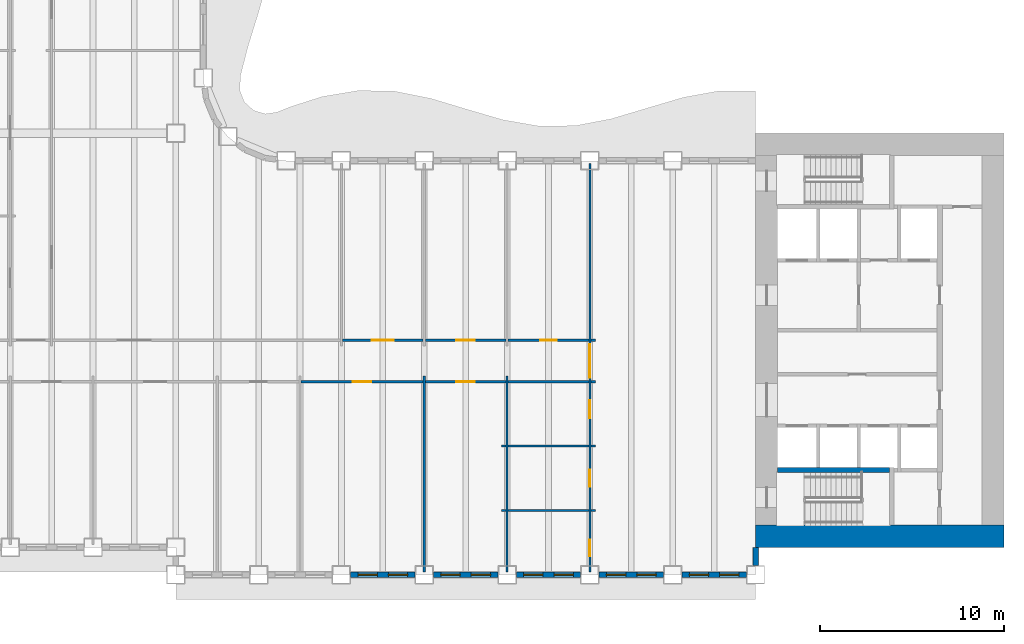
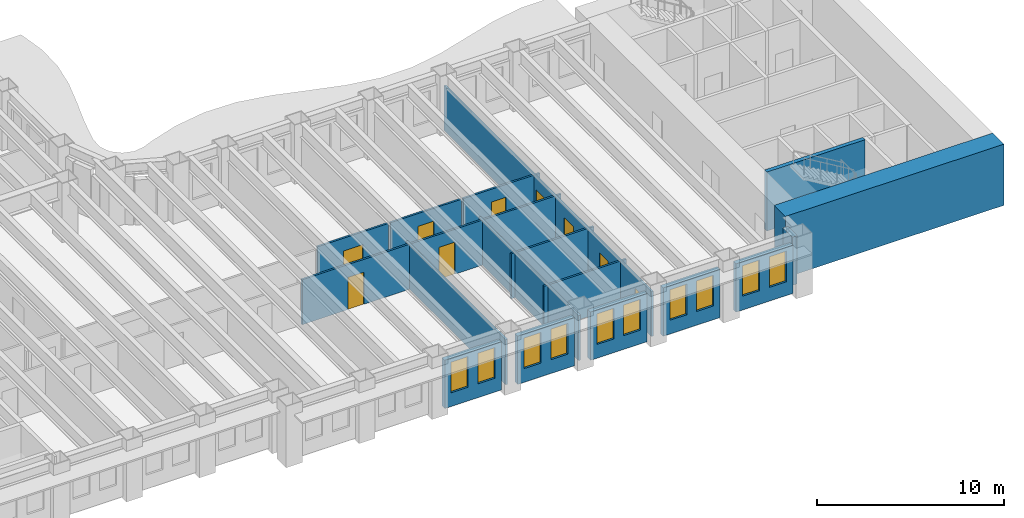
# One storey, part 5 of 16: 25 walls, 10 windows, 9 doors, 19 openings.
"""IFC4 building model written with IfcOpenShell, lengths in metres."""

from ifc_helpers import new_model, si_unit, direction, frame, frame_2d, origin, place, context, subcontext, project, spatial, rectangle, extrude, material, layer, layer_set, type_object, element, fill, save


model = new_model("IFC4")

# Units and contexts
model_context = context("Model", 3, precision=1e-05, world=origin(), true_north=direction((0.0, 1.0)))
body_context = subcontext(model_context, "Body", "Model", "MODEL_VIEW")
ifc_project = project(units=[si_unit("LENGTHUNIT", "METRE"), si_unit("AREAUNIT", "SQUARE_METRE"), si_unit("VOLUMEUNIT", "CUBIC_METRE"), si_unit("PLANEANGLEUNIT", "RADIAN"), si_unit("MASSUNIT", "GRAM", prefix="KILO")], contexts=[model_context])

# Site, building, storey
site_placement = place(None, origin())
site = spatial("IfcSite", under=ifc_project, at=site_placement, CompositionType="ELEMENT")
building_placement = place(site_placement, origin())
building = spatial("IfcBuilding", under=site, at=building_placement, Name="Sennacour Bend Tower", CompositionType="ELEMENT")
storey_placement = place(building_placement, frame((0.0, 0.0, 115.0)))
storey = spatial("IfcBuildingStorey", under=building, at=storey_placement, Name="L26", CompositionType="ELEMENT", Elevation=115.0)

# Walls
ifc_material_1 = material(Name="Concrete C80/95", Category="concrete")
ifc_layer_1 = layer(ifc_material_1, 1.199951171875, Name="Concrete C80/95", Category="concrete")
ifc_layer_set_1 = layer_set([ifc_layer_1], Name="Concrete C80/95")
wall_type_1 = type_object("IfcWallType", Name="Core wall 1200 C80/95", PredefinedType="SHEAR", material=ifc_layer_set_1)
wall_1_placement = place(storey_placement, frame((67.5, 0.60009765625, -0.14990234375), z_axis=(0.0, 0.0, 1.0), x_axis=(-1.0, 0.0, 0.0)))
element("IfcWall", 1, at=wall_1_placement, inside=storey, type_object=wall_type_1, Name="Core A wall L26 S", PredefinedType="SHEAR", context=body_context, shape_type="SweptSolid", body=[
    extrude(rectangle(XDim=13.5, YDim=1.199951171875, at=frame_2d((6.75, 0.0))), origin(), (0.0, 0.0, 1.0), 4.0),
])
ifc_material_2 = material(Name="Plasterboard partition on steel studs", Category="steel")
ifc_layer_2 = layer(ifc_material_2, 0.1201171875, Name="Plasterboard partition on steel studs", Category="steel")
ifc_layer_set_2 = layer_set([ifc_layer_2], Name="Plasterboard partition on steel studs")
wall_type_2 = type_object("IfcWallType", Name="Partition 120", PredefinedType="PARTITIONING", material=ifc_layer_set_2)
for number, where, z_axis, x_axis, name in (
    (2, (36.0, -1.35009765625, 0.0), (0.0, 0.0, 1.0), (0.0, 1.0, 0.0), "P-L26-W029a"),
    (3, (40.5, -1.35009765625, 0.0), (0.0, 0.0, 1.0), (0.0, 1.0, 0.0), "P-L26-W031a"),
):
    element("IfcWall", number, at=place(storey_placement, frame(where, z_axis=z_axis, x_axis=x_axis)), inside=storey, type_object=wall_type_2, Name=name, PredefinedType="PARTITIONING", context=body_context, shape_type="SweptSolid", body=[
        extrude(rectangle(XDim=10.650146484375, YDim=0.1201171875, at=frame_2d((5.3251953125, 0.0))), origin(), (0.0, 0.0, 1.0), 2.93798828125),
    ])
wall_2_placement = place(storey_placement, frame((40.199951171875, 2.0, 0.0), z_axis=(0.0, 0.0, 1.0), x_axis=(1.0, 0.0, 0.0)))
element("IfcWall", 4, at=wall_2_placement, inside=storey, type_object=wall_type_2, Name="P-L26-W048aa", PredefinedType="PARTITIONING", context=body_context, shape_type="SweptSolid", body=[
    extrude(rectangle(XDim=0.239990234375, YDim=0.1201171875, at=frame_2d((0.1201171875, 0.0))), origin(), (0.0, 0.0, 1.0), 2.93798828125),
])
wall_3_placement = place(storey_placement, frame((40.56005859375, 2.0, 0.0), z_axis=(0.0, 0.0, 1.0), x_axis=(1.0, 0.0, 0.0)))
element("IfcWall", 5, at=wall_3_placement, inside=storey, type_object=wall_type_2, Name="P-L26-W048ab", PredefinedType="PARTITIONING", context=body_context, shape_type="SweptSolid", body=[
    extrude(rectangle(XDim=4.3798828125, YDim=0.1201171875, at=frame_2d((2.18994140625, 0.0))), origin(), (0.0, 0.0, 1.0), 2.93798828125),
])
for number, where, z_axis, x_axis, name in (
    (6, (45.06005859375, 2.0, 0.0), (0.0, 0.0, 1.0), (1.0, 0.0, 0.0), "P-L26-W048ac"),
    (7, (40.199951171875, 5.5, 0.0), (0.0, 0.0, 1.0), (1.0, 0.0, 0.0), "P-L26-W053aa"),
):
    element("IfcWall", number, at=place(storey_placement, frame(where, z_axis=z_axis, x_axis=x_axis)), inside=storey, type_object=wall_type_2, Name=name, PredefinedType="PARTITIONING", context=body_context, shape_type="SweptSolid", body=[
        extrude(rectangle(XDim=0.239990234375, YDim=0.1201171875, at=frame_2d((0.1201171875, 0.0))), origin(), (0.0, 0.0, 1.0), 2.93798828125),
    ])
wall_4_placement = place(storey_placement, frame((40.56005859375, 5.5, 0.0), z_axis=(0.0, 0.0, 1.0), x_axis=(1.0, 0.0, 0.0)))
element("IfcWall", 8, at=wall_4_placement, inside=storey, type_object=wall_type_2, Name="P-L26-W053ab", PredefinedType="PARTITIONING", context=body_context, shape_type="SweptSolid", body=[
    extrude(rectangle(XDim=4.3798828125, YDim=0.1201171875, at=frame_2d((2.18994140625, 0.0))), origin(), (0.0, 0.0, 1.0), 2.93798828125),
])
wall_5_placement = place(storey_placement, frame((45.06005859375, 5.5, 0.0), z_axis=(0.0, 0.0, 1.0), x_axis=(1.0, 0.0, 0.0)))
element("IfcWall", 9, at=wall_5_placement, inside=storey, type_object=wall_type_2, Name="P-L26-W053ac", PredefinedType="PARTITIONING", context=body_context, shape_type="SweptSolid", body=[
    extrude(rectangle(XDim=0.239990234375, YDim=0.1201171875, at=frame_2d((0.1201171875, 0.0))), origin(), (0.0, 0.0, 1.0), 2.93798828125),
])

# Wall, opening, door
wall_6_placement = place(storey_placement, frame((29.31005859375, 9.0, 0.0), z_axis=(0.0, 0.0, 1.0), x_axis=(1.0, 0.0, 0.0)))
wall_6 = element("IfcWall", 10, at=wall_6_placement, inside=storey, type_object=wall_type_2, Name="P-L26-W055af", PredefinedType="PARTITIONING", context=body_context, shape_type="SweptSolid", body=[
    extrude(rectangle(XDim=6.6298828125, YDim=0.1201171875, at=frame_2d((3.31494140625, 0.0))), origin(), (0.0, 0.0, 1.0), 2.93798828125),
])
opening_1_placement = place(wall_6_placement, frame((2.81494140625, 0.0, 0.0)))
opening_1 = element("IfcOpeningElement", 11, at=opening_1_placement, cuts=wall_6, Name="Opening OD2", PredefinedType="OPENING", context=body_context, shape_type="SweptSolid", body=[
    extrude(rectangle(XDim=1.0, YDim=2.10009765625, at=frame_2d((0.5, 1.050048828125))), frame((0.0, 0.070068359375, 0.0), z_axis=(0.0, -1.0, 0.0), x_axis=(1.0, 0.0, 0.0)), (0.0, 0.0, 1.0), 0.14013671875),
])
ifc_material_3 = material(Name="Timber", Category="wood")
door_type_1 = type_object("IfcDoorType", Name="DR-OFFICE-1000", OperationType="NOTDEFINED", PredefinedType="DOOR", material=ifc_material_3)
door_1_placement = place(opening_1_placement, origin())
door_1 = element("IfcDoor", 12, at=door_1_placement, inside=storey, type_object=door_type_1, Name="Door", OperationType="SINGLE_SWING_LEFT", OverallHeight=2.10009765625, OverallWidth=1.0, PredefinedType="DOOR", context=body_context, shape_type="SweptSolid", body=[
    extrude(rectangle(XDim=1.0, YDim=2.10009765625, at=frame_2d((0.5, 1.050048828125))), frame((0.0, 0.02490234375, 0.0), z_axis=(0.0, -1.0, 0.0), x_axis=(1.0, 0.0, 0.0)), (0.0, 0.0, 1.0), 0.050048828125),
])
fill(opening_1, door_1)

wall_7_placement = place(storey_placement, frame((36.06005859375, 9.0, 0.0), z_axis=(0.0, 0.0, 1.0), x_axis=(1.0, 0.0, 0.0)))
wall_7 = element("IfcWall", 13, at=wall_7_placement, inside=storey, type_object=wall_type_2, Name="P-L26-W055ag", PredefinedType="PARTITIONING", context=body_context, shape_type="SweptSolid", body=[
    extrude(rectangle(XDim=4.3798828125, YDim=0.1201171875, at=frame_2d((2.18994140625, 0.0))), origin(), (0.0, 0.0, 1.0), 2.93798828125),
])
opening_2_placement = place(wall_7_placement, frame((1.68994140625, 0.0, 0.0)))
opening_2 = element("IfcOpeningElement", 14, at=opening_2_placement, cuts=wall_7, Name="Opening MD2", PredefinedType="OPENING", context=body_context, shape_type="SweptSolid", body=[
    extrude(rectangle(XDim=1.0, YDim=2.10009765625, at=frame_2d((0.5, 1.050048828125))), frame((0.0, 0.070068359375, 0.0), z_axis=(0.0, -1.0, 0.0), x_axis=(1.0, 0.0, 0.0)), (0.0, 0.0, 1.0), 0.14013671875),
])
door_type_2 = type_object("IfcDoorType", Name="DR-MEETING-1000", OperationType="NOTDEFINED", PredefinedType="DOOR", material=ifc_material_3)
door_2_placement = place(opening_2_placement, origin())
door_2 = element("IfcDoor", 15, at=door_2_placement, inside=storey, type_object=door_type_2, Name="Door", OperationType="SINGLE_SWING_LEFT", OverallHeight=2.10009765625, OverallWidth=1.0, PredefinedType="DOOR", context=body_context, shape_type="SweptSolid", body=[
    extrude(rectangle(XDim=1.0, YDim=2.10009765625, at=frame_2d((0.5, 1.050048828125))), frame((0.0, 0.02490234375, 0.0), z_axis=(0.0, -1.0, 0.0), x_axis=(1.0, 0.0, 0.0)), (0.0, 0.0, 1.0), 0.050048828125),
])
fill(opening_2, door_2)

# Walls
wall_8_placement = place(storey_placement, frame((40.56005859375, 9.0, 0.0), z_axis=(0.0, 0.0, 1.0), x_axis=(1.0, 0.0, 0.0)))
element("IfcWall", 16, at=wall_8_placement, inside=storey, type_object=wall_type_2, Name="P-L26-W055ah", PredefinedType="PARTITIONING", context=body_context, shape_type="SweptSolid", body=[
    extrude(rectangle(XDim=4.3798828125, YDim=0.1201171875, at=frame_2d((2.18994140625, 0.0))), origin(), (0.0, 0.0, 1.0), 2.93798828125),
])
wall_9_placement = place(storey_placement, frame((45.06005859375, 9.0, 0.0), z_axis=(0.0, 0.0, 1.0), x_axis=(1.0, 0.0, 0.0)))
element("IfcWall", 17, at=wall_9_placement, inside=storey, type_object=wall_type_2, Name="P-L26-W055ai", PredefinedType="PARTITIONING", context=body_context, shape_type="SweptSolid", body=[
    extrude(rectangle(XDim=0.239990234375, YDim=0.1201171875, at=frame_2d((0.1201171875, 0.0))), origin(), (0.0, 0.0, 1.0), 2.93798828125),
])

# Wall, opening, door
wall_10_placement = place(storey_placement, frame((31.56005859375, 11.25, 0.0), z_axis=(0.0, 0.0, 1.0), x_axis=(1.0, 0.0, 0.0)))
wall_10 = element("IfcWall", 18, at=wall_10_placement, inside=storey, type_object=wall_type_2, Name="P-L26-W057ad", PredefinedType="PARTITIONING", context=body_context, shape_type="SweptSolid", body=[
    extrude(rectangle(XDim=4.3798828125, YDim=0.1201171875, at=frame_2d((2.18994140625, 0.0))), origin(), (0.0, 0.0, 1.0), 2.93798828125),
])
opening_3_placement = place(wall_10_placement, frame((1.58984375, 0.0, 0.0)))
opening_3 = element("IfcOpeningElement", 19, at=opening_3_placement, cuts=wall_10, Name="Opening OD", PredefinedType="OPENING", context=body_context, shape_type="SweptSolid", body=[
    extrude(rectangle(XDim=1.199951171875, YDim=2.10009765625, at=frame_2d((0.60009765625, 1.050048828125))), frame((0.0, 0.070068359375, 0.0), z_axis=(0.0, -1.0, 0.0), x_axis=(1.0, 0.0, 0.0)), (0.0, 0.0, 1.0), 0.14013671875),
])
door_type_3 = type_object("IfcDoorType", Name="DR-OFFICE-1200", OperationType="NOTDEFINED", PredefinedType="DOOR", material=ifc_material_3)
door_3_placement = place(opening_3_placement, origin())
door_3 = element("IfcDoor", 20, at=door_3_placement, inside=storey, type_object=door_type_3, Name="Door", OperationType="SINGLE_SWING_LEFT", OverallHeight=2.10009765625, OverallWidth=1.199951171875, PredefinedType="DOOR", context=body_context, shape_type="SweptSolid", body=[
    extrude(rectangle(XDim=1.199951171875, YDim=2.10009765625, at=frame_2d((0.60009765625, 1.050048828125))), frame((0.0, 0.02490234375, 0.0), z_axis=(0.0, -1.0, 0.0), x_axis=(1.0, 0.0, 0.0)), (0.0, 0.0, 1.0), 0.050048828125),
])
fill(opening_3, door_3)

wall_11_placement = place(storey_placement, frame((36.06005859375, 11.25, 0.0), z_axis=(0.0, 0.0, 1.0), x_axis=(1.0, 0.0, 0.0)))
wall_11 = element("IfcWall", 21, at=wall_11_placement, inside=storey, type_object=wall_type_2, Name="P-L26-W057ae", PredefinedType="PARTITIONING", context=body_context, shape_type="SweptSolid", body=[
    extrude(rectangle(XDim=4.3798828125, YDim=0.1201171875, at=frame_2d((2.18994140625, 0.0))), origin(), (0.0, 0.0, 1.0), 2.93798828125),
])
opening_4_placement = place(wall_11_placement, frame((1.68994140625, 0.0, 0.0)))
opening_4 = element("IfcOpeningElement", 22, at=opening_4_placement, cuts=wall_11, Name="Opening OD2", PredefinedType="OPENING", context=body_context, shape_type="SweptSolid", body=[
    extrude(rectangle(XDim=1.0, YDim=2.10009765625, at=frame_2d((0.5, 1.050048828125))), frame((0.0, 0.070068359375, 0.0), z_axis=(0.0, -1.0, 0.0), x_axis=(1.0, 0.0, 0.0)), (0.0, 0.0, 1.0), 0.14013671875),
])
door_4_placement = place(opening_4_placement, origin())
door_4 = element("IfcDoor", 23, at=door_4_placement, inside=storey, type_object=door_type_1, Name="Door", OperationType="SINGLE_SWING_LEFT", OverallHeight=2.10009765625, OverallWidth=1.0, PredefinedType="DOOR", context=body_context, shape_type="SweptSolid", body=[
    extrude(rectangle(XDim=1.0, YDim=2.10009765625, at=frame_2d((0.5, 1.050048828125))), frame((0.0, 0.02490234375, 0.0), z_axis=(0.0, -1.0, 0.0), x_axis=(1.0, 0.0, 0.0)), (0.0, 0.0, 1.0), 0.050048828125),
])
fill(opening_4, door_4)

# Wall
wall_12_placement = place(storey_placement, frame((45.06005859375, 11.25, 0.0), z_axis=(0.0, 0.0, 1.0), x_axis=(1.0, 0.0, 0.0)))
element("IfcWall", 24, at=wall_12_placement, inside=storey, type_object=wall_type_2, Name="P-L26-W057ag", PredefinedType="PARTITIONING", context=body_context, shape_type="SweptSolid", body=[
    extrude(rectangle(XDim=0.239990234375, YDim=0.1201171875, at=frame_2d((0.1201171875, 0.0))), origin(), (0.0, 0.0, 1.0), 2.93798828125),
])

# Wall, openings, doors
ifc_layer_3 = layer(ifc_material_2, 0.1201171875, Name="Plasterboard partition on steel studs", Category="steel")
ifc_layer_set_3 = layer_set([ifc_layer_3], Name="Plasterboard partition on steel studs")
wall_type_3 = type_object("IfcWallType", Name="Partition 120 EI 30", PredefinedType="PARTITIONING", material=ifc_layer_set_3)
wall_13_placement = place(storey_placement, frame((45.0, -1.35009765625, 0.0), z_axis=(0.0, 0.0, 1.0), x_axis=(0.0, 1.0, 0.0)))
wall_13 = element("IfcWall", 25, at=wall_13_placement, inside=storey, type_object=wall_type_3, Name="P-L26-W033a", PredefinedType="PARTITIONING", context=body_context, shape_type="SweptSolid", body=[
    extrude(rectangle(XDim=22.2001953125, YDim=0.1201171875, at=frame_2d((11.10009765625, 0.0))), origin(), (0.0, 0.0, 1.0), 2.93798828125),
])
opening_5_placement = place(wall_13_placement, frame((10.5751953125, 0.0, 0.0)))
opening_5 = element("IfcOpeningElement", 26, at=opening_5_placement, cuts=wall_13, Name="Opening KD3", PredefinedType="OPENING", context=body_context, shape_type="SweptSolid", body=[
    extrude(rectangle(XDim=1.800048828125, YDim=2.10009765625, at=frame_2d((0.89990234375, 1.050048828125))), frame((0.0, 0.070068359375, 0.0), z_axis=(0.0, -1.0, 0.0), x_axis=(1.0, 0.0, 0.0)), (0.0, 0.0, 1.0), 0.14013671875),
])
opening_6_placement = place(wall_13_placement, frame((0.85009765625, 0.0, 0.0)))
opening_6 = element("IfcOpeningElement", 27, at=opening_6_placement, cuts=wall_13, Name="Opening WD", PredefinedType="OPENING", context=body_context, shape_type="SweptSolid", body=[
    extrude(rectangle(XDim=0.89990234375, YDim=2.10009765625, at=frame_2d((0.449951171875, 1.050048828125))), frame((0.0, 0.070068359375, 0.0), z_axis=(0.0, -1.0, 0.0), x_axis=(1.0, 0.0, 0.0)), (0.0, 0.0, 1.0), 0.14013671875),
])
opening_7_placement = place(wall_13_placement, frame((4.650146484375, 0.0, 0.0)))
opening_7 = element("IfcOpeningElement", 28, at=opening_7_placement, cuts=wall_13, Name="Opening WD", PredefinedType="OPENING", context=body_context, shape_type="SweptSolid", body=[
    extrude(rectangle(XDim=0.89990234375, YDim=2.10009765625, at=frame_2d((0.449951171875, 1.050048828125))), frame((0.0, 0.070068359375, 0.0), z_axis=(0.0, -1.0, 0.0), x_axis=(1.0, 0.0, 0.0)), (0.0, 0.0, 1.0), 0.14013671875),
])
opening_8_placement = place(wall_13_placement, frame((8.35009765625, 0.0, 0.0)))
opening_8 = element("IfcOpeningElement", 29, at=opening_8_placement, cuts=wall_13, Name="Opening AD", PredefinedType="OPENING", context=body_context, shape_type="SweptSolid", body=[
    extrude(rectangle(XDim=1.0, YDim=2.10009765625, at=frame_2d((0.5, 1.050048828125))), frame((0.0, 0.070068359375, 0.0), z_axis=(0.0, -1.0, 0.0), x_axis=(1.0, 0.0, 0.0)), (0.0, 0.0, 1.0), 0.14013671875),
])
door_type_4 = type_object("IfcDoorType", Name="DR-ACC-WC-1000", OperationType="NOTDEFINED", PredefinedType="DOOR", material=ifc_material_3)
door_5_placement = place(opening_8_placement, origin())
door_5 = element("IfcDoor", 30, at=door_5_placement, inside=storey, type_object=door_type_4, Name="Door", OperationType="SINGLE_SWING_LEFT", OverallHeight=2.10009765625, OverallWidth=1.0, PredefinedType="DOOR", context=body_context, shape_type="SweptSolid", body=[
    extrude(rectangle(XDim=1.0, YDim=2.10009765625, at=frame_2d((0.5, 1.050048828125))), frame((0.0, 0.02490234375, 0.0), z_axis=(0.0, -1.0, 0.0), x_axis=(1.0, 0.0, 0.0)), (0.0, 0.0, 1.0), 0.050048828125),
])
fill(opening_8, door_5)
ifc_material_4 = material(Name="Painted steel", Category="steel")
door_type_5 = type_object("IfcDoorType", Name="DR-CORRIDOR-1800", OperationType="NOTDEFINED", PredefinedType="DOOR", material=ifc_material_4)
door_6_placement = place(opening_5_placement, origin())
door_6 = element("IfcDoor", 31, at=door_6_placement, inside=storey, type_object=door_type_5, Name="Door", OperationType="DOUBLE_DOOR_SINGLE_SWING", OverallHeight=2.10009765625, OverallWidth=1.800048828125, PredefinedType="DOOR", context=body_context, shape_type="SweptSolid", body=[
    extrude(rectangle(XDim=1.800048828125, YDim=2.10009765625, at=frame_2d((0.89990234375, 1.050048828125))), frame((0.0, 0.02490234375, 0.0), z_axis=(0.0, -1.0, 0.0), x_axis=(1.0, 0.0, 0.0)), (0.0, 0.0, 1.0), 0.050048828125),
])
fill(opening_5, door_6)
door_type_6 = type_object("IfcDoorType", Name="DR-WC-900", OperationType="NOTDEFINED", PredefinedType="DOOR", material=ifc_material_3)
door_7_placement = place(opening_6_placement, origin())
door_7 = element("IfcDoor", 32, at=door_7_placement, inside=storey, type_object=door_type_6, Name="Door", OperationType="SINGLE_SWING_LEFT", OverallHeight=2.10009765625, OverallWidth=0.89990234375, PredefinedType="DOOR", context=body_context, shape_type="SweptSolid", body=[
    extrude(rectangle(XDim=0.89990234375, YDim=2.10009765625, at=frame_2d((0.449951171875, 1.050048828125))), frame((0.0, 0.02490234375, 0.0), z_axis=(0.0, -1.0, 0.0), x_axis=(1.0, 0.0, 0.0)), (0.0, 0.0, 1.0), 0.050048828125),
])
fill(opening_6, door_7)
door_8_placement = place(opening_7_placement, origin())
door_8 = element("IfcDoor", 33, at=door_8_placement, inside=storey, type_object=door_type_6, Name="Door", OperationType="SINGLE_SWING_LEFT", OverallHeight=2.10009765625, OverallWidth=0.89990234375, PredefinedType="DOOR", context=body_context, shape_type="SweptSolid", body=[
    extrude(rectangle(XDim=0.89990234375, YDim=2.10009765625, at=frame_2d((0.449951171875, 1.050048828125))), frame((0.0, 0.02490234375, 0.0), z_axis=(0.0, -1.0, 0.0), x_axis=(1.0, 0.0, 0.0)), (0.0, 0.0, 1.0), 0.050048828125),
])
fill(opening_7, door_8)

# Wall, opening, door
ifc_layer_4 = layer(ifc_material_2, 0.1201171875, Name="Plasterboard partition on steel studs", Category="steel")
ifc_layer_set_4 = layer_set([ifc_layer_4], Name="Plasterboard partition on steel studs")
wall_type_4 = type_object("IfcWallType", Name="Partition 120 EI 60", PredefinedType="PARTITIONING", material=ifc_layer_set_4)
wall_14_placement = place(storey_placement, frame((40.56005859375, 11.25, 0.0), z_axis=(0.0, 0.0, 1.0), x_axis=(1.0, 0.0, 0.0)))
wall_14 = element("IfcWall", 34, at=wall_14_placement, inside=storey, type_object=wall_type_4, Name="P-L26-W057af", PredefinedType="PARTITIONING", context=body_context, shape_type="SweptSolid", body=[
    extrude(rectangle(XDim=4.3798828125, YDim=0.1201171875, at=frame_2d((2.18994140625, 0.0))), origin(), (0.0, 0.0, 1.0), 2.93798828125),
])
opening_9_placement = place(wall_14_placement, frame((1.739990234375, 0.0, 0.0)))
opening_9 = element("IfcOpeningElement", 35, at=opening_9_placement, cuts=wall_14, Name="Opening SV", PredefinedType="OPENING", context=body_context, shape_type="SweptSolid", body=[
    extrude(rectangle(XDim=0.89990234375, YDim=2.10009765625, at=frame_2d((0.449951171875, 1.050048828125))), frame((0.0, 0.070068359375, 0.0), z_axis=(0.0, -1.0, 0.0), x_axis=(1.0, 0.0, 0.0)), (0.0, 0.0, 1.0), 0.14013671875),
])
door_type_7 = type_object("IfcDoorType", Name="DR-SERVICE-900", OperationType="NOTDEFINED", PredefinedType="DOOR", material=ifc_material_4)
door_9_placement = place(opening_9_placement, origin())
door_9 = element("IfcDoor", 36, at=door_9_placement, inside=storey, type_object=door_type_7, Name="Door", OperationType="SINGLE_SWING_LEFT", OverallHeight=2.10009765625, OverallWidth=0.89990234375, PredefinedType="DOOR", context=body_context, shape_type="SweptSolid", body=[
    extrude(rectangle(XDim=0.89990234375, YDim=2.10009765625, at=frame_2d((0.449951171875, 1.050048828125))), frame((0.0, 0.02490234375, 0.0), z_axis=(0.0, -1.0, 0.0), x_axis=(1.0, 0.0, 0.0)), (0.0, 0.0, 1.0), 0.050048828125),
])
fill(opening_9, door_9)

# Wall, openings, windows
ifc_material_5 = material(Name="Warm limestone cladding", Category="masonry")
ifc_layer_5 = layer(ifc_material_5, 0.050048828125, Name="Warm limestone cladding", Category="masonry")
ifc_material_6 = material(Name="Precast concrete C40/50", Category="concrete")
ifc_layer_6 = layer(ifc_material_6, 0.25, Name="Precast concrete C40/50", Category="concrete")
ifc_layer_set_5 = layer_set([ifc_layer_5, ifc_layer_6], Name="Precast concrete C40/50 with limestone cladding")
wall_type_5 = type_object("IfcWallType", Name="STONE-CLAD PRECAST SPANDREL 300", PredefinedType="STANDARD", material=ifc_layer_set_5)
wall_15_placement = place(storey_placement, frame((32.0, -1.5, 0.0), z_axis=(0.0, 0.0, 1.0), x_axis=(1.0, 0.0, 0.0)))
wall_15 = element("IfcWall", 37, at=wall_15_placement, inside=storey, type_object=wall_type_5, Name="Stone spandrel and pier wall L26 00.02", PredefinedType="STANDARD", context=body_context, shape_type="SweptSolid", body=[
    extrude(rectangle(XDim=3.5, YDim=0.300048828125, at=frame_2d((1.75, 0.0))), origin(), (0.0, 0.0, 1.0), 3.154052734375),
])
opening_10_placement = place(wall_15_placement, frame((0.39990234375, 0.0, 0.89990234375)))
opening_10 = element("IfcOpeningElement", 38, at=opening_10_placement, cuts=wall_15, Name="Opening W13", PredefinedType="OPENING", context=body_context, shape_type="SweptSolid", body=[
    extrude(rectangle(XDim=1.050048828125, YDim=2.0, at=frame_2d((0.52490234375, 1.0))), frame((0.0, 0.16015625, 0.0), z_axis=(0.0, -1.0, 0.0), x_axis=(1.0, 0.0, 0.0)), (0.0, 0.0, 1.0), 0.320068359375),
])
opening_11_placement = place(wall_15_placement, frame((2.050048828125, 0.0, 0.89990234375)))
opening_11 = element("IfcOpeningElement", 39, at=opening_11_placement, cuts=wall_15, Name="Opening W13", PredefinedType="OPENING", context=body_context, shape_type="SweptSolid", body=[
    extrude(rectangle(XDim=1.050048828125, YDim=2.0, at=frame_2d((0.52490234375, 1.0))), frame((0.0, 0.16015625, 0.0), z_axis=(0.0, -1.0, 0.0), x_axis=(1.0, 0.0, 0.0)), (0.0, 0.0, 1.0), 0.320068359375),
])
ifc_material_7 = material(Name="Clear low-emissivity glass", Category="glass")
window_type = type_object("IfcWindowType", Name="WIN-RIBBON-1050x2000", PartitioningType="SINGLE_PANEL", PredefinedType="WINDOW", material=ifc_material_7)
window_1_placement = place(opening_10_placement, origin())
window_1 = element("IfcWindow", 40, at=window_1_placement, inside=storey, type_object=window_type, Name="Ribbon window L26 00.02.0", OverallHeight=2.0, OverallWidth=1.050048828125, PartitioningType="SINGLE_PANEL", PredefinedType="WINDOW", context=body_context, shape_type="SweptSolid", body=[
    extrude(rectangle(XDim=1.050048828125, YDim=2.0, at=frame_2d((0.52490234375, 1.0))), frame((0.0, 0.030029296875, 0.0), z_axis=(0.0, -1.0, 0.0), x_axis=(1.0, 0.0, 0.0)), (0.0, 0.0, 1.0), 0.06005859375),
])
fill(opening_10, window_1)
window_2_placement = place(opening_11_placement, origin())
window_2 = element("IfcWindow", 41, at=window_2_placement, inside=storey, type_object=window_type, Name="Ribbon window L26 00.02.1", OverallHeight=2.0, OverallWidth=1.050048828125, PartitioningType="SINGLE_PANEL", PredefinedType="WINDOW", context=body_context, shape_type="SweptSolid", body=[
    extrude(rectangle(XDim=1.050048828125, YDim=2.0, at=frame_2d((0.52490234375, 1.0))), frame((0.0, 0.030029296875, 0.0), z_axis=(0.0, -1.0, 0.0), x_axis=(1.0, 0.0, 0.0)), (0.0, 0.0, 1.0), 0.06005859375),
])
fill(opening_11, window_2)

wall_16_placement = place(storey_placement, frame((36.5, -1.5, 0.0), z_axis=(0.0, 0.0, 1.0), x_axis=(1.0, 0.0, 0.0)))
wall_16 = element("IfcWall", 42, at=wall_16_placement, inside=storey, type_object=wall_type_5, Name="Stone spandrel and pier wall L26 00.03", PredefinedType="STANDARD", context=body_context, shape_type="SweptSolid", body=[
    extrude(rectangle(XDim=3.5, YDim=0.300048828125, at=frame_2d((1.75, 0.0))), origin(), (0.0, 0.0, 1.0), 3.154052734375),
])
opening_12_placement = place(wall_16_placement, frame((0.39990234375, 0.0, 0.89990234375)))
opening_12 = element("IfcOpeningElement", 43, at=opening_12_placement, cuts=wall_16, Name="Opening W13", PredefinedType="OPENING", context=body_context, shape_type="SweptSolid", body=[
    extrude(rectangle(XDim=1.050048828125, YDim=2.0, at=frame_2d((0.52490234375, 1.0))), frame((0.0, 0.16015625, 0.0), z_axis=(0.0, -1.0, 0.0), x_axis=(1.0, 0.0, 0.0)), (0.0, 0.0, 1.0), 0.320068359375),
])
opening_13_placement = place(wall_16_placement, frame((2.050048828125, 0.0, 0.89990234375)))
opening_13 = element("IfcOpeningElement", 44, at=opening_13_placement, cuts=wall_16, Name="Opening W13", PredefinedType="OPENING", context=body_context, shape_type="SweptSolid", body=[
    extrude(rectangle(XDim=1.050048828125, YDim=2.0, at=frame_2d((0.52490234375, 1.0))), frame((0.0, 0.16015625, 0.0), z_axis=(0.0, -1.0, 0.0), x_axis=(1.0, 0.0, 0.0)), (0.0, 0.0, 1.0), 0.320068359375),
])
window_3_placement = place(opening_12_placement, origin())
window_3 = element("IfcWindow", 45, at=window_3_placement, inside=storey, type_object=window_type, Name="Ribbon window L26 00.03.0", OverallHeight=2.0, OverallWidth=1.050048828125, PartitioningType="SINGLE_PANEL", PredefinedType="WINDOW", context=body_context, shape_type="SweptSolid", body=[
    extrude(rectangle(XDim=1.050048828125, YDim=2.0, at=frame_2d((0.52490234375, 1.0))), frame((0.0, 0.030029296875, 0.0), z_axis=(0.0, -1.0, 0.0), x_axis=(1.0, 0.0, 0.0)), (0.0, 0.0, 1.0), 0.06005859375),
])
fill(opening_12, window_3)
window_4_placement = place(opening_13_placement, origin())
window_4 = element("IfcWindow", 46, at=window_4_placement, inside=storey, type_object=window_type, Name="Ribbon window L26 00.03.1", OverallHeight=2.0, OverallWidth=1.050048828125, PartitioningType="SINGLE_PANEL", PredefinedType="WINDOW", context=body_context, shape_type="SweptSolid", body=[
    extrude(rectangle(XDim=1.050048828125, YDim=2.0, at=frame_2d((0.52490234375, 1.0))), frame((0.0, 0.030029296875, 0.0), z_axis=(0.0, -1.0, 0.0), x_axis=(1.0, 0.0, 0.0)), (0.0, 0.0, 1.0), 0.06005859375),
])
fill(opening_13, window_4)

wall_17_placement = place(storey_placement, frame((41.0, -1.5, 0.0), z_axis=(0.0, 0.0, 1.0), x_axis=(1.0, 0.0, 0.0)))
wall_17 = element("IfcWall", 47, at=wall_17_placement, inside=storey, type_object=wall_type_5, Name="Stone spandrel and pier wall L26 00.04", PredefinedType="STANDARD", context=body_context, shape_type="SweptSolid", body=[
    extrude(rectangle(XDim=3.5, YDim=0.300048828125, at=frame_2d((1.75, 0.0))), origin(), (0.0, 0.0, 1.0), 3.154052734375),
])
opening_14_placement = place(wall_17_placement, frame((0.39990234375, 0.0, 0.89990234375)))
opening_14 = element("IfcOpeningElement", 48, at=opening_14_placement, cuts=wall_17, Name="Opening W13", PredefinedType="OPENING", context=body_context, shape_type="SweptSolid", body=[
    extrude(rectangle(XDim=1.050048828125, YDim=2.0, at=frame_2d((0.52490234375, 1.0))), frame((0.0, 0.16015625, 0.0), z_axis=(0.0, -1.0, 0.0), x_axis=(1.0, 0.0, 0.0)), (0.0, 0.0, 1.0), 0.320068359375),
])
opening_15_placement = place(wall_17_placement, frame((2.050048828125, 0.0, 0.89990234375)))
opening_15 = element("IfcOpeningElement", 49, at=opening_15_placement, cuts=wall_17, Name="Opening W13", PredefinedType="OPENING", context=body_context, shape_type="SweptSolid", body=[
    extrude(rectangle(XDim=1.050048828125, YDim=2.0, at=frame_2d((0.52490234375, 1.0))), frame((0.0, 0.16015625, 0.0), z_axis=(0.0, -1.0, 0.0), x_axis=(1.0, 0.0, 0.0)), (0.0, 0.0, 1.0), 0.320068359375),
])
window_5_placement = place(opening_14_placement, origin())
window_5 = element("IfcWindow", 50, at=window_5_placement, inside=storey, type_object=window_type, Name="Ribbon window L26 00.04.0", OverallHeight=2.0, OverallWidth=1.050048828125, PartitioningType="SINGLE_PANEL", PredefinedType="WINDOW", context=body_context, shape_type="SweptSolid", body=[
    extrude(rectangle(XDim=1.050048828125, YDim=2.0, at=frame_2d((0.52490234375, 1.0))), frame((0.0, 0.030029296875, 0.0), z_axis=(0.0, -1.0, 0.0), x_axis=(1.0, 0.0, 0.0)), (0.0, 0.0, 1.0), 0.06005859375),
])
fill(opening_14, window_5)
window_6_placement = place(opening_15_placement, origin())
window_6 = element("IfcWindow", 51, at=window_6_placement, inside=storey, type_object=window_type, Name="Ribbon window L26 00.04.1", OverallHeight=2.0, OverallWidth=1.050048828125, PartitioningType="SINGLE_PANEL", PredefinedType="WINDOW", context=body_context, shape_type="SweptSolid", body=[
    extrude(rectangle(XDim=1.050048828125, YDim=2.0, at=frame_2d((0.52490234375, 1.0))), frame((0.0, 0.030029296875, 0.0), z_axis=(0.0, -1.0, 0.0), x_axis=(1.0, 0.0, 0.0)), (0.0, 0.0, 1.0), 0.06005859375),
])
fill(opening_15, window_6)

wall_18_placement = place(storey_placement, frame((45.5, -1.5, 0.0), z_axis=(0.0, 0.0, 1.0), x_axis=(1.0, 0.0, 0.0)))
wall_18 = element("IfcWall", 52, at=wall_18_placement, inside=storey, type_object=wall_type_5, Name="Stone spandrel and pier wall L26 00.05", PredefinedType="STANDARD", context=body_context, shape_type="SweptSolid", body=[
    extrude(rectangle(XDim=3.5, YDim=0.300048828125, at=frame_2d((1.75, 0.0))), origin(), (0.0, 0.0, 1.0), 3.154052734375),
])
opening_16_placement = place(wall_18_placement, frame((0.39990234375, 0.0, 0.89990234375)))
opening_16 = element("IfcOpeningElement", 53, at=opening_16_placement, cuts=wall_18, Name="Opening W13", PredefinedType="OPENING", context=body_context, shape_type="SweptSolid", body=[
    extrude(rectangle(XDim=1.050048828125, YDim=2.0, at=frame_2d((0.52490234375, 1.0))), frame((0.0, 0.16015625, 0.0), z_axis=(0.0, -1.0, 0.0), x_axis=(1.0, 0.0, 0.0)), (0.0, 0.0, 1.0), 0.320068359375),
])
opening_17_placement = place(wall_18_placement, frame((2.050048828125, 0.0, 0.89990234375)))
opening_17 = element("IfcOpeningElement", 54, at=opening_17_placement, cuts=wall_18, Name="Opening W13", PredefinedType="OPENING", context=body_context, shape_type="SweptSolid", body=[
    extrude(rectangle(XDim=1.050048828125, YDim=2.0, at=frame_2d((0.52490234375, 1.0))), frame((0.0, 0.16015625, 0.0), z_axis=(0.0, -1.0, 0.0), x_axis=(1.0, 0.0, 0.0)), (0.0, 0.0, 1.0), 0.320068359375),
])
window_7_placement = place(opening_16_placement, origin())
window_7 = element("IfcWindow", 55, at=window_7_placement, inside=storey, type_object=window_type, Name="Ribbon window L26 00.05.0", OverallHeight=2.0, OverallWidth=1.050048828125, PartitioningType="SINGLE_PANEL", PredefinedType="WINDOW", context=body_context, shape_type="SweptSolid", body=[
    extrude(rectangle(XDim=1.050048828125, YDim=2.0, at=frame_2d((0.52490234375, 1.0))), frame((0.0, 0.030029296875, 0.0), z_axis=(0.0, -1.0, 0.0), x_axis=(1.0, 0.0, 0.0)), (0.0, 0.0, 1.0), 0.06005859375),
])
fill(opening_16, window_7)
window_8_placement = place(opening_17_placement, origin())
window_8 = element("IfcWindow", 56, at=window_8_placement, inside=storey, type_object=window_type, Name="Ribbon window L26 00.05.1", OverallHeight=2.0, OverallWidth=1.050048828125, PartitioningType="SINGLE_PANEL", PredefinedType="WINDOW", context=body_context, shape_type="SweptSolid", body=[
    extrude(rectangle(XDim=1.050048828125, YDim=2.0, at=frame_2d((0.52490234375, 1.0))), frame((0.0, 0.030029296875, 0.0), z_axis=(0.0, -1.0, 0.0), x_axis=(1.0, 0.0, 0.0)), (0.0, 0.0, 1.0), 0.06005859375),
])
fill(opening_17, window_8)

wall_19_placement = place(storey_placement, frame((50.0, -1.5, 0.0), z_axis=(0.0, 0.0, 1.0), x_axis=(1.0, 0.0, 0.0)))
wall_19 = element("IfcWall", 57, at=wall_19_placement, inside=storey, type_object=wall_type_5, Name="Stone spandrel and pier wall L26 00.06", PredefinedType="STANDARD", context=body_context, shape_type="SweptSolid", body=[
    extrude(rectangle(XDim=3.5, YDim=0.300048828125, at=frame_2d((1.75, 0.0))), origin(), (0.0, 0.0, 1.0), 3.154052734375),
])
opening_18_placement = place(wall_19_placement, frame((0.39990234375, 0.0, 0.89990234375)))
opening_18 = element("IfcOpeningElement", 58, at=opening_18_placement, cuts=wall_19, Name="Opening W13", PredefinedType="OPENING", context=body_context, shape_type="SweptSolid", body=[
    extrude(rectangle(XDim=1.050048828125, YDim=2.0, at=frame_2d((0.52490234375, 1.0))), frame((0.0, 0.16015625, 0.0), z_axis=(0.0, -1.0, 0.0), x_axis=(1.0, 0.0, 0.0)), (0.0, 0.0, 1.0), 0.320068359375),
])
opening_19_placement = place(wall_19_placement, frame((2.050048828125, 0.0, 0.89990234375)))
opening_19 = element("IfcOpeningElement", 59, at=opening_19_placement, cuts=wall_19, Name="Opening W13", PredefinedType="OPENING", context=body_context, shape_type="SweptSolid", body=[
    extrude(rectangle(XDim=1.050048828125, YDim=2.0, at=frame_2d((0.52490234375, 1.0))), frame((0.0, 0.16015625, 0.0), z_axis=(0.0, -1.0, 0.0), x_axis=(1.0, 0.0, 0.0)), (0.0, 0.0, 1.0), 0.320068359375),
])
window_9_placement = place(opening_18_placement, origin())
window_9 = element("IfcWindow", 60, at=window_9_placement, inside=storey, type_object=window_type, Name="Ribbon window L26 00.06.0", OverallHeight=2.0, OverallWidth=1.050048828125, PartitioningType="SINGLE_PANEL", PredefinedType="WINDOW", context=body_context, shape_type="SweptSolid", body=[
    extrude(rectangle(XDim=1.050048828125, YDim=2.0, at=frame_2d((0.52490234375, 1.0))), frame((0.0, 0.030029296875, 0.0), z_axis=(0.0, -1.0, 0.0), x_axis=(1.0, 0.0, 0.0)), (0.0, 0.0, 1.0), 0.06005859375),
])
fill(opening_18, window_9)
window_10_placement = place(opening_19_placement, origin())
window_10 = element("IfcWindow", 61, at=window_10_placement, inside=storey, type_object=window_type, Name="Ribbon window L26 00.06.1", OverallHeight=2.0, OverallWidth=1.050048828125, PartitioningType="SINGLE_PANEL", PredefinedType="WINDOW", context=body_context, shape_type="SweptSolid", body=[
    extrude(rectangle(XDim=1.050048828125, YDim=2.0, at=frame_2d((0.52490234375, 1.0))), frame((0.0, 0.030029296875, 0.0), z_axis=(0.0, -1.0, 0.0), x_axis=(1.0, 0.0, 0.0)), (0.0, 0.0, 1.0), 0.06005859375),
])
fill(opening_19, window_10)

# Walls
wall_20_placement = place(storey_placement, frame((54.0, -1.0, 0.0), z_axis=(0.0, 0.0, 1.0), x_axis=(0.0, 1.0, 0.0)))
element("IfcWall", 62, at=wall_20_placement, inside=storey, type_object=wall_type_5, Name="Stone spandrel and pier wall L26 01.00", PredefinedType="STANDARD", context=body_context, shape_type="SweptSolid", body=[
    extrude(rectangle(XDim=1.0, YDim=0.300048828125, at=frame_2d((0.5, 0.0))), origin(), (0.0, 0.0, 1.0), 3.154052734375),
])
ifc_material_8 = material(Name="Concrete C60/75", Category="concrete")
ifc_layer_7 = layer(ifc_material_8, 0.25, Name="Concrete C60/75", Category="concrete")
ifc_layer_set_6 = layer_set([ifc_layer_7], Name="Concrete C60/75")
wall_type_6 = type_object("IfcWallType", Name="Stair wall 250", PredefinedType="SHEAR", material=ifc_layer_set_6)
wall_21_placement = place(storey_placement, frame((55.199951171875, 4.199951171875, 0.0), z_axis=(0.0, 0.0, 1.0), x_axis=(1.0, 0.0, 0.0)))
element("IfcWall", 63, at=wall_21_placement, inside=storey, type_object=wall_type_6, Name="P-L26-W051", PredefinedType="SHEAR", context=body_context, shape_type="SweptSolid", body=[
    extrude(rectangle(XDim=6.074951171875, YDim=0.25, at=frame_2d((3.03759765625, 0.0))), origin(), (0.0, 0.0, 1.0), 3.85009765625),
])

save(model, "model.ifc")
